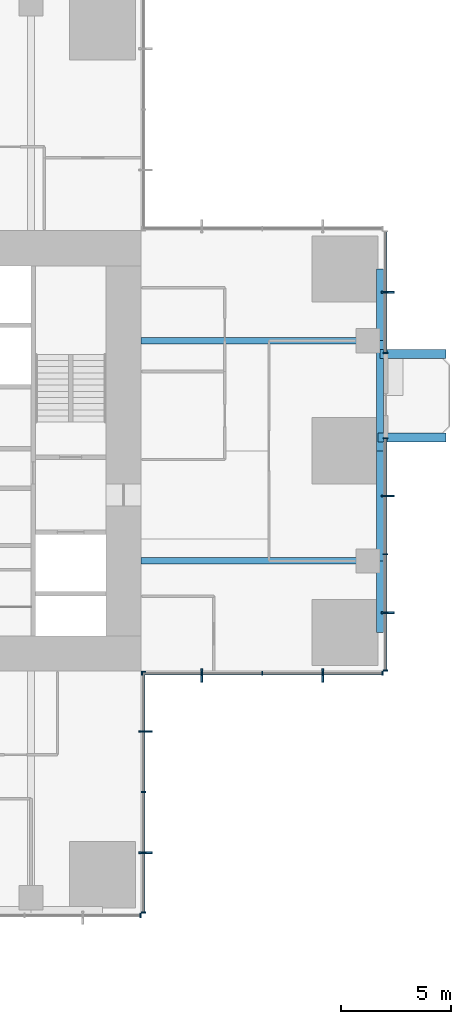
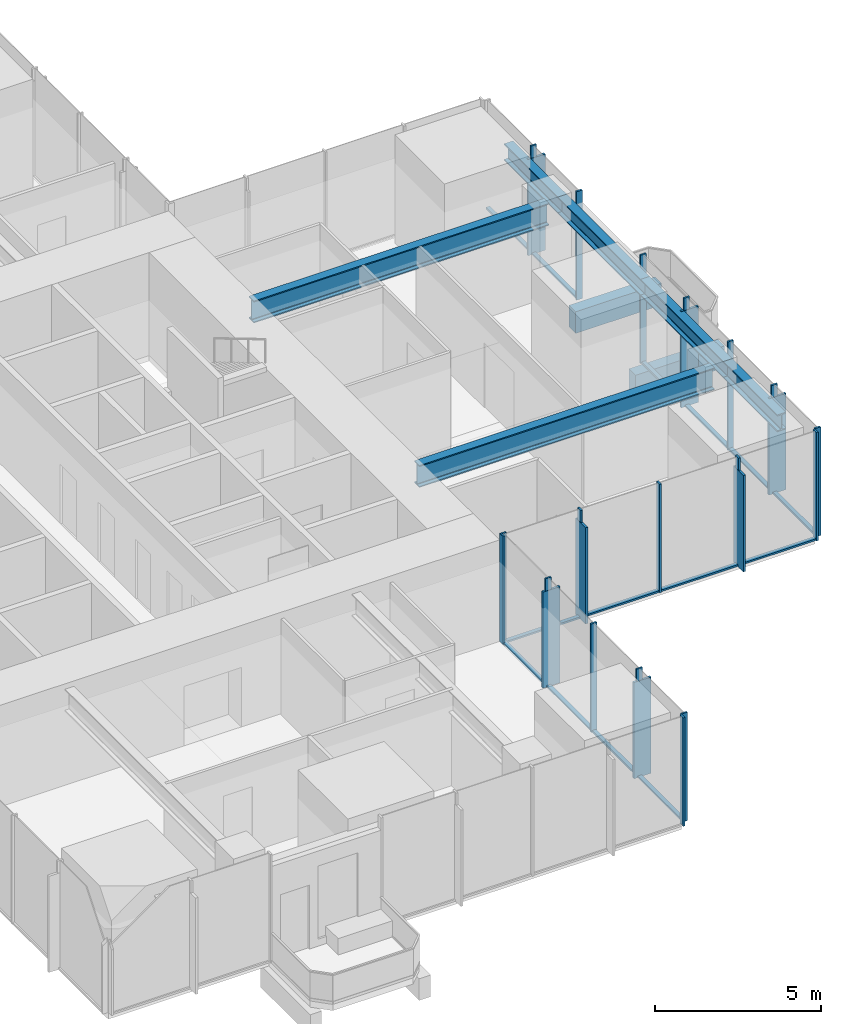
# One storey, part 4 of 13: 39 members, 8 beams, 5 elements without a shape of their own.
"""IFC4 building model written with IfcOpenShell, lengths in metres."""

from ifc_helpers import new_model, si_unit, direction, frame, origin, origin_2d, place, context, subcontext, project, spatial, rectangle, i_section, extrude, material, material_profile, profile_set, type_object, element, aggregate, save


model = new_model("IFC4")

# Units and contexts
model_context = context("Model", 3, precision=1e-05, world=origin(), true_north=direction((0.0, 1.0)))
body_context = subcontext(model_context, "Body", "Model", "MODEL_VIEW")
ifc_project = project(units=[si_unit("LENGTHUNIT", "METRE"), si_unit("AREAUNIT", "SQUARE_METRE"), si_unit("VOLUMEUNIT", "CUBIC_METRE"), si_unit("PLANEANGLEUNIT", "RADIAN"), si_unit("MASSUNIT", "GRAM", prefix="KILO")], contexts=[model_context])

# Site, building, storey
site_placement = place(None, origin())
site = spatial("IfcSite", under=ifc_project, at=site_placement, CompositionType="ELEMENT")
building_placement = place(site_placement, origin())
building = spatial("IfcBuilding", under=site, at=building_placement, Name="Svetlomir Tower", CompositionType="ELEMENT")
storey_placement = place(building_placement, frame((0.0, 0.0, 156.5)))
storey = spatial("IfcBuildingStorey", under=building, at=storey_placement, Name="L37", CompositionType="ELEMENT", Elevation=156.5)

# Beams
ifc_material_1 = material(Name="Concrete C60/75", Category="concrete")
ifc_material_profile_1 = material_profile(ifc_material_1, rectangle(XDim=0.39990234375, YDim=0.800048828125, at=origin_2d()), Name="RC 400x800")
ifc_profile_set_1 = profile_set([ifc_material_profile_1], Name="Concrete C60/75")
beam_type_1 = type_object("IfcBeamType", Name="BALCONY RIB RC 400x800", PredefinedType="BEAM", material=ifc_profile_set_1)
beam_1_placement = place(storey_placement, frame((41.75, 21.60009765625, -0.64990234375), z_axis=(1.0, 0.0, 0.0), x_axis=(0.0, 1.0, 0.0)))
element("IfcBeam", 1, at=beam_1_placement, inside=storey, type_object=beam_type_1, Name="Balcony rib E 1 L37", PredefinedType="BEAM", context=body_context, shape_type="SweptSolid", body=[
    extrude(rectangle(XDim=0.39990234375, YDim=0.800048828125, at=origin_2d()), origin(), (0.0, 0.0, 1.0), 3.10009765625),
])
beam_2_placement = place(storey_placement, frame((41.85009765625, 25.39990234375, -0.64990234375), z_axis=(1.0, 0.0, 0.0), x_axis=(0.0, 1.0, 0.0)))
element("IfcBeam", 2, at=beam_2_placement, inside=storey, type_object=beam_type_1, Name="Balcony rib E 2 L37", PredefinedType="BEAM", context=body_context, shape_type="SweptSolid", body=[
    extrude(rectangle(XDim=0.39990234375, YDim=0.800048828125, at=origin_2d()), origin(), (0.0, 0.0, 1.0), 3.0),
])

# Curtain wall, members
ifc_material_2 = material(Name="Bronze anodised aluminium curtain wall", Category="aluminium")
curtain_wall_type = type_object("IfcCurtainWallType", Name="CURTAIN WALL CW1 TOWER OFFICE", PredefinedType="NOTDEFINED", material=ifc_material_2)
curtain_wall_1_placement = place(storey_placement, origin())
curtain_wall_1 = element("IfcCurtainWall", 3, at=curtain_wall_1_placement, inside=storey, type_object=curtain_wall_type, Name="Curtain wall CW1 L37", PredefinedType="NOTDEFINED")
ifc_material_3 = material(Name="Bronze anodised aluminium", Category="aluminium")
ifc_material_profile_2 = material_profile(ifc_material_3, rectangle(XDim=0.080078125, YDim=0.60009765625, at=origin_2d()), Name="FIN 80x600")
ifc_profile_set_2 = profile_set([ifc_material_profile_2], Name="Bronze anodised aluminium 6063-T6")
member_type_1 = type_object("IfcMemberType", Name="BRONZE FIN 80x600", PredefinedType="USERDEFINED", material=ifc_profile_set_2)
member_1_placement = place(storey_placement, frame((31.199951171875, 2.75, 0.0), z_axis=(0.0, 0.0, 1.0), x_axis=(0.0, 1.0, 0.0)))
member_1 = element("IfcMember", 4, at=member_1_placement, type_object=member_type_1, Name="Bronze fin L37", ObjectType="FIN", PredefinedType="USERDEFINED", context=body_context, shape_type="SweptSolid", body=[
    extrude(rectangle(XDim=0.080078125, YDim=0.60009765625, at=origin_2d()), origin(), (0.0, 0.0, 1.0), 3.550048828125),
])
member_2_placement = place(storey_placement, frame((31.199951171875, 8.25, 0.0), z_axis=(0.0, 0.0, 1.0), x_axis=(0.0, 1.0, 0.0)))
member_2 = element("IfcMember", 5, at=member_2_placement, type_object=member_type_1, Name="Bronze fin L37", ObjectType="FIN", PredefinedType="USERDEFINED", context=body_context, shape_type="SweptSolid", body=[
    extrude(rectangle(XDim=0.080078125, YDim=0.60009765625, at=origin_2d()), origin(), (0.0, 0.0, 1.0), 3.550048828125),
])

curtain_wall_2_placement = place(storey_placement, origin())
curtain_wall_2 = element("IfcCurtainWall", 6, at=curtain_wall_2_placement, inside=storey, type_object=curtain_wall_type, Name="Curtain wall CW1 L37", PredefinedType="NOTDEFINED")
member_3_placement = place(storey_placement, frame((33.75, 10.800048828125, 0.0), z_axis=(0.0, 0.0, 1.0), x_axis=(1.0, 0.0, 0.0)))
member_3 = element("IfcMember", 7, at=member_3_placement, type_object=member_type_1, Name="Bronze fin L37", ObjectType="FIN", PredefinedType="USERDEFINED", context=body_context, shape_type="SweptSolid", body=[
    extrude(rectangle(XDim=0.080078125, YDim=0.60009765625, at=origin_2d()), origin(), (0.0, 0.0, 1.0), 3.550048828125),
])
member_4_placement = place(storey_placement, frame((39.25, 10.800048828125, 0.0), z_axis=(0.0, 0.0, 1.0), x_axis=(1.0, 0.0, 0.0)))
member_4 = element("IfcMember", 8, at=member_4_placement, type_object=member_type_1, Name="Bronze fin L37", ObjectType="FIN", PredefinedType="USERDEFINED", context=body_context, shape_type="SweptSolid", body=[
    extrude(rectangle(XDim=0.080078125, YDim=0.60009765625, at=origin_2d()), origin(), (0.0, 0.0, 1.0), 3.550048828125),
])

curtain_wall_3_placement = place(storey_placement, origin())
curtain_wall_3 = element("IfcCurtainWall", 9, at=curtain_wall_3_placement, inside=storey, type_object=curtain_wall_type, Name="Curtain wall CW1 L37", PredefinedType="NOTDEFINED")
member_5_placement = place(storey_placement, frame((42.199951171875, 13.64990234375, 0.0), z_axis=(0.0, 0.0, 1.0), x_axis=(0.0, 1.0, 0.0)))
member_5 = element("IfcMember", 10, at=member_5_placement, type_object=member_type_1, Name="Bronze fin L37", ObjectType="FIN", PredefinedType="USERDEFINED", context=body_context, shape_type="SweptSolid", body=[
    extrude(rectangle(XDim=0.080078125, YDim=0.60009765625, at=origin_2d()), origin(), (0.0, 0.0, 1.0), 3.550048828125),
])
member_6_placement = place(storey_placement, frame((42.199951171875, 18.949951171875, 0.0), z_axis=(0.0, 0.0, 1.0), x_axis=(0.0, 1.0, 0.0)))
member_6 = element("IfcMember", 11, at=member_6_placement, type_object=member_type_1, Name="Bronze fin L37", ObjectType="FIN", PredefinedType="USERDEFINED", context=body_context, shape_type="SweptSolid", body=[
    extrude(rectangle(XDim=0.080078125, YDim=0.60009765625, at=origin_2d()), origin(), (0.0, 0.0, 1.0), 3.550048828125),
])

# Curtain wall, member
curtain_wall_4_placement = place(storey_placement, origin())
curtain_wall_4 = element("IfcCurtainWall", 12, at=curtain_wall_4_placement, inside=storey, type_object=curtain_wall_type, Name="Curtain wall CW1 L37", PredefinedType="NOTDEFINED")
member_7_placement = place(storey_placement, frame((42.199951171875, 28.199951171875, 0.0), z_axis=(0.0, 0.0, 1.0), x_axis=(0.0, 1.0, 0.0)))
member_7 = element("IfcMember", 13, at=member_7_placement, type_object=member_type_1, Name="Bronze fin L37", ObjectType="FIN", PredefinedType="USERDEFINED", context=body_context, shape_type="SweptSolid", body=[
    extrude(rectangle(XDim=0.080078125, YDim=0.60009765625, at=origin_2d()), origin(), (0.0, 0.0, 1.0), 3.550048828125),
])

curtain_wall_5_placement = place(storey_placement, origin())
curtain_wall_5 = element("IfcCurtainWall", 14, at=curtain_wall_5_placement, inside=storey, type_object=curtain_wall_type, Name="Curtain wall CW1 L37", PredefinedType="NOTDEFINED")
ifc_material_4 = material(Name="Bronze anodised aluminium", Category="aluminium")
ifc_material_profile_3 = material_profile(ifc_material_4, rectangle(XDim=0.06494140625, YDim=0.199951171875, at=origin_2d()), Name="AL 65x200")
ifc_profile_set_3 = profile_set([ifc_material_profile_3], Name="Bronze anodised aluminium 6063-T6")
member_type_2 = type_object("IfcMemberType", Name="CW1 MULLION 65x200", PredefinedType="MULLION", material=ifc_profile_set_3)
member_8_placement = place(storey_placement, frame((30.967529296875, -0.10009765625, 0.0), z_axis=(0.0, 0.0, 1.0), x_axis=(1.0, 0.0, 0.0)))
member_8 = element("IfcMember", 15, at=member_8_placement, type_object=member_type_2, Name="CW1 mullion 5", PredefinedType="MULLION", context=body_context, shape_type="SweptSolid", body=[
    extrude(rectangle(XDim=0.06494140625, YDim=0.199951171875, at=origin_2d()), origin(), (0.0, 0.0, 1.0), 4.0),
])
aggregate(curtain_wall_5, [member_8])

# Member
member_9_placement = place(storey_placement, frame((31.10009765625, 0.032470703125, 0.0), z_axis=(0.0, 0.0, 1.0), x_axis=(0.0, 1.0, 0.0)))
member_9 = element("IfcMember", 16, at=member_9_placement, type_object=member_type_2, Name="CW1 mullion 1", PredefinedType="MULLION", context=body_context, shape_type="SweptSolid", body=[
    extrude(rectangle(XDim=0.06494140625, YDim=0.199951171875, at=origin_2d()), origin(), (0.0, 0.0, 1.0), 4.0),
])

member_10_placement = place(storey_placement, frame((31.10009765625, 2.75, 0.0), z_axis=(0.0, 0.0, 1.0), x_axis=(0.0, 1.0, 0.0)))
member_10 = element("IfcMember", 17, at=member_10_placement, type_object=member_type_2, Name="CW1 mullion 2", PredefinedType="MULLION", context=body_context, shape_type="SweptSolid", body=[
    extrude(rectangle(XDim=0.06494140625, YDim=0.199951171875, at=origin_2d()), origin(), (0.0, 0.0, 1.0), 4.0),
])

member_11_placement = place(storey_placement, frame((31.10009765625, 5.5, 0.0), z_axis=(0.0, 0.0, 1.0), x_axis=(0.0, 1.0, 0.0)))
member_11 = element("IfcMember", 18, at=member_11_placement, type_object=member_type_2, Name="CW1 mullion 3", PredefinedType="MULLION", context=body_context, shape_type="SweptSolid", body=[
    extrude(rectangle(XDim=0.06494140625, YDim=0.199951171875, at=origin_2d()), origin(), (0.0, 0.0, 1.0), 4.0),
])

member_12_placement = place(storey_placement, frame((31.10009765625, 8.25, 0.0), z_axis=(0.0, 0.0, 1.0), x_axis=(0.0, 1.0, 0.0)))
member_12 = element("IfcMember", 19, at=member_12_placement, type_object=member_type_2, Name="CW1 mullion 4", PredefinedType="MULLION", context=body_context, shape_type="SweptSolid", body=[
    extrude(rectangle(XDim=0.06494140625, YDim=0.199951171875, at=origin_2d()), origin(), (0.0, 0.0, 1.0), 4.0),
])

member_13_placement = place(storey_placement, frame((31.10009765625, 10.967529296875, 0.0), z_axis=(0.0, 0.0, 1.0), x_axis=(0.0, 1.0, 0.0)))
member_13 = element("IfcMember", 20, at=member_13_placement, type_object=member_type_2, Name="CW1 mullion 5", PredefinedType="MULLION", context=body_context, shape_type="SweptSolid", body=[
    extrude(rectangle(XDim=0.06494140625, YDim=0.199951171875, at=origin_2d()), origin(), (0.0, 0.0, 1.0), 4.0),
])

member_14_placement = place(storey_placement, frame((31.032470703125, 10.89990234375, 0.0), z_axis=(0.0, 0.0, 1.0), x_axis=(1.0, 0.0, 0.0)))
member_14 = element("IfcMember", 21, at=member_14_placement, type_object=member_type_2, Name="CW1 mullion 1", PredefinedType="MULLION", context=body_context, shape_type="SweptSolid", body=[
    extrude(rectangle(XDim=0.06494140625, YDim=0.199951171875, at=origin_2d()), origin(), (0.0, 0.0, 1.0), 4.0),
])

member_15_placement = place(storey_placement, frame((33.75, 10.89990234375, 0.0), z_axis=(0.0, 0.0, 1.0), x_axis=(1.0, 0.0, 0.0)))
member_15 = element("IfcMember", 22, at=member_15_placement, type_object=member_type_2, Name="CW1 mullion 2", PredefinedType="MULLION", context=body_context, shape_type="SweptSolid", body=[
    extrude(rectangle(XDim=0.06494140625, YDim=0.199951171875, at=origin_2d()), origin(), (0.0, 0.0, 1.0), 4.0),
])

member_16_placement = place(storey_placement, frame((36.5, 10.89990234375, 0.0), z_axis=(0.0, 0.0, 1.0), x_axis=(1.0, 0.0, 0.0)))
member_16 = element("IfcMember", 23, at=member_16_placement, type_object=member_type_2, Name="CW1 mullion 3", PredefinedType="MULLION", context=body_context, shape_type="SweptSolid", body=[
    extrude(rectangle(XDim=0.06494140625, YDim=0.199951171875, at=origin_2d()), origin(), (0.0, 0.0, 1.0), 4.0),
])

member_17_placement = place(storey_placement, frame((39.25, 10.89990234375, 0.0), z_axis=(0.0, 0.0, 1.0), x_axis=(1.0, 0.0, 0.0)))
member_17 = element("IfcMember", 24, at=member_17_placement, type_object=member_type_2, Name="CW1 mullion 4", PredefinedType="MULLION", context=body_context, shape_type="SweptSolid", body=[
    extrude(rectangle(XDim=0.06494140625, YDim=0.199951171875, at=origin_2d()), origin(), (0.0, 0.0, 1.0), 4.0),
])

member_18_placement = place(storey_placement, frame((41.967529296875, 10.89990234375, 0.0), z_axis=(0.0, 0.0, 1.0), x_axis=(1.0, 0.0, 0.0)))
member_18 = element("IfcMember", 25, at=member_18_placement, type_object=member_type_2, Name="CW1 mullion 5", PredefinedType="MULLION", context=body_context, shape_type="SweptSolid", body=[
    extrude(rectangle(XDim=0.06494140625, YDim=0.199951171875, at=origin_2d()), origin(), (0.0, 0.0, 1.0), 4.0),
])

member_19_placement = place(storey_placement, frame((42.10009765625, 11.032470703125, 0.0), z_axis=(0.0, 0.0, 1.0), x_axis=(0.0, 1.0, 0.0)))
member_19 = element("IfcMember", 26, at=member_19_placement, type_object=member_type_2, Name="CW1 mullion 1", PredefinedType="MULLION", context=body_context, shape_type="SweptSolid", body=[
    extrude(rectangle(XDim=0.06494140625, YDim=0.199951171875, at=origin_2d()), origin(), (0.0, 0.0, 1.0), 4.0),
])

member_20_placement = place(storey_placement, frame((42.10009765625, 13.64990234375, 0.0), z_axis=(0.0, 0.0, 1.0), x_axis=(0.0, 1.0, 0.0)))
member_20 = element("IfcMember", 27, at=member_20_placement, type_object=member_type_2, Name="CW1 mullion 2", PredefinedType="MULLION", context=body_context, shape_type="SweptSolid", body=[
    extrude(rectangle(XDim=0.06494140625, YDim=0.199951171875, at=origin_2d()), origin(), (0.0, 0.0, 1.0), 4.0),
])

member_21_placement = place(storey_placement, frame((42.10009765625, 16.300048828125, 0.0), z_axis=(0.0, 0.0, 1.0), x_axis=(0.0, 1.0, 0.0)))
member_21 = element("IfcMember", 28, at=member_21_placement, type_object=member_type_2, Name="CW1 mullion 3", PredefinedType="MULLION", context=body_context, shape_type="SweptSolid", body=[
    extrude(rectangle(XDim=0.06494140625, YDim=0.199951171875, at=origin_2d()), origin(), (0.0, 0.0, 1.0), 4.0),
])

member_22_placement = place(storey_placement, frame((42.10009765625, 18.949951171875, 0.0), z_axis=(0.0, 0.0, 1.0), x_axis=(0.0, 1.0, 0.0)))
member_22 = element("IfcMember", 29, at=member_22_placement, type_object=member_type_2, Name="CW1 mullion 4", PredefinedType="MULLION", context=body_context, shape_type="SweptSolid", body=[
    extrude(rectangle(XDim=0.06494140625, YDim=0.199951171875, at=origin_2d()), origin(), (0.0, 0.0, 1.0), 4.0),
])

member_23_placement = place(storey_placement, frame((42.10009765625, 21.5673828125, 0.0), z_axis=(0.0, 0.0, 1.0), x_axis=(0.0, 1.0, 0.0)))
member_23 = element("IfcMember", 30, at=member_23_placement, type_object=member_type_2, Name="CW1 mullion 5", PredefinedType="MULLION", context=body_context, shape_type="SweptSolid", body=[
    extrude(rectangle(XDim=0.06494140625, YDim=0.199951171875, at=origin_2d()), origin(), (0.0, 0.0, 1.0), 4.0),
])

member_24_placement = place(storey_placement, frame((42.10009765625, 25.4326171875, 0.0), z_axis=(0.0, 0.0, 1.0), x_axis=(0.0, 1.0, 0.0)))
member_24 = element("IfcMember", 31, at=member_24_placement, type_object=member_type_2, Name="CW1 mullion 1", PredefinedType="MULLION", context=body_context, shape_type="SweptSolid", body=[
    extrude(rectangle(XDim=0.06494140625, YDim=0.199951171875, at=origin_2d()), origin(), (0.0, 0.0, 1.0), 4.0),
])

member_25_placement = place(storey_placement, frame((42.10009765625, 28.199951171875, 0.0), z_axis=(0.0, 0.0, 1.0), x_axis=(0.0, 1.0, 0.0)))
member_25 = element("IfcMember", 32, at=member_25_placement, type_object=member_type_2, Name="CW1 mullion 2", PredefinedType="MULLION", context=body_context, shape_type="SweptSolid", body=[
    extrude(rectangle(XDim=0.06494140625, YDim=0.199951171875, at=origin_2d()), origin(), (0.0, 0.0, 1.0), 4.0),
])

ifc_material_5 = material(Name="Bronze anodised aluminium", Category="aluminium")
ifc_material_profile_4 = material_profile(ifc_material_5, rectangle(XDim=0.139892578125, YDim=0.06494140625, at=origin_2d()), Name="AL 140x65")
ifc_profile_set_4 = profile_set([ifc_material_profile_4], Name="Bronze anodised aluminium 6063-T6")
member_type_3 = type_object("IfcMemberType", Name="CW1 TRANSOM 65x140", PredefinedType="USERDEFINED", material=ifc_profile_set_4)
member_26_placement = place(storey_placement, frame((31.10009765625, 0.06494140625, 0.032470703125), z_axis=(0.0, 1.0, 0.0), x_axis=(-1.0, 0.0, 0.0)))
member_26 = element("IfcMember", 33, at=member_26_placement, type_object=member_type_3, Name="CW1 transom 1.1", ObjectType="TRANSOM", PredefinedType="USERDEFINED", context=body_context, shape_type="SweptSolid", body=[
    extrude(rectangle(XDim=0.139892578125, YDim=0.06494140625, at=origin_2d()), origin(), (0.0, 0.0, 1.0), 2.652587890625),
])

member_27_placement = place(storey_placement, frame((31.10009765625, 2.782470703125, 0.032470703125), z_axis=(0.0, 1.0, 0.0), x_axis=(-1.0, 0.0, 0.0)))
member_27 = element("IfcMember", 34, at=member_27_placement, type_object=member_type_3, Name="CW1 transom 2.1", ObjectType="TRANSOM", PredefinedType="USERDEFINED", context=body_context, shape_type="SweptSolid", body=[
    extrude(rectangle(XDim=0.139892578125, YDim=0.06494140625, at=origin_2d()), origin(), (0.0, 0.0, 1.0), 2.68505859375),
])

member_28_placement = place(storey_placement, frame((31.10009765625, 5.532470703125, 0.032470703125), z_axis=(0.0, 1.0, 0.0), x_axis=(-1.0, 0.0, 0.0)))
member_28 = element("IfcMember", 35, at=member_28_placement, type_object=member_type_3, Name="CW1 transom 3.1", ObjectType="TRANSOM", PredefinedType="USERDEFINED", context=body_context, shape_type="SweptSolid", body=[
    extrude(rectangle(XDim=0.139892578125, YDim=0.06494140625, at=origin_2d()), origin(), (0.0, 0.0, 1.0), 2.68505859375),
])

member_29_placement = place(storey_placement, frame((31.10009765625, 8.282470703125, 0.032470703125), z_axis=(0.0, 1.0, 0.0), x_axis=(-1.0, 0.0, 0.0)))
member_29 = element("IfcMember", 36, at=member_29_placement, type_object=member_type_3, Name="CW1 transom 4.1", ObjectType="TRANSOM", PredefinedType="USERDEFINED", context=body_context, shape_type="SweptSolid", body=[
    extrude(rectangle(XDim=0.139892578125, YDim=0.06494140625, at=origin_2d()), origin(), (0.0, 0.0, 1.0), 2.652587890625),
])

aggregate(curtain_wall_1, [member_9, member_10, member_11, member_12, member_13, member_26, member_27, member_28, member_29, member_1, member_2])

member_30_placement = place(storey_placement, frame((31.06494140625, 10.89990234375, 0.032470703125), z_axis=(1.0, 0.0, 0.0), x_axis=(0.0, 1.0, 0.0)))
member_30 = element("IfcMember", 37, at=member_30_placement, type_object=member_type_3, Name="CW1 transom 1.1", ObjectType="TRANSOM", PredefinedType="USERDEFINED", context=body_context, shape_type="SweptSolid", body=[
    extrude(rectangle(XDim=0.139892578125, YDim=0.06494140625, at=origin_2d()), origin(), (0.0, 0.0, 1.0), 2.652587890625),
])

member_31_placement = place(storey_placement, frame((33.782470703125, 10.89990234375, 0.032470703125), z_axis=(1.0, 0.0, 0.0), x_axis=(0.0, 1.0, 0.0)))
member_31 = element("IfcMember", 38, at=member_31_placement, type_object=member_type_3, Name="CW1 transom 2.1", ObjectType="TRANSOM", PredefinedType="USERDEFINED", context=body_context, shape_type="SweptSolid", body=[
    extrude(rectangle(XDim=0.139892578125, YDim=0.06494140625, at=origin_2d()), origin(), (0.0, 0.0, 1.0), 2.68505859375),
])

member_32_placement = place(storey_placement, frame((36.532470703125, 10.89990234375, 0.032470703125), z_axis=(1.0, 0.0, 0.0), x_axis=(0.0, 1.0, 0.0)))
member_32 = element("IfcMember", 39, at=member_32_placement, type_object=member_type_3, Name="CW1 transom 3.1", ObjectType="TRANSOM", PredefinedType="USERDEFINED", context=body_context, shape_type="SweptSolid", body=[
    extrude(rectangle(XDim=0.139892578125, YDim=0.06494140625, at=origin_2d()), origin(), (0.0, 0.0, 1.0), 2.68505859375),
])

member_33_placement = place(storey_placement, frame((39.282470703125, 10.89990234375, 0.032470703125), z_axis=(1.0, 0.0, 0.0), x_axis=(0.0, 1.0, 0.0)))
member_33 = element("IfcMember", 40, at=member_33_placement, type_object=member_type_3, Name="CW1 transom 4.1", ObjectType="TRANSOM", PredefinedType="USERDEFINED", context=body_context, shape_type="SweptSolid", body=[
    extrude(rectangle(XDim=0.139892578125, YDim=0.06494140625, at=origin_2d()), origin(), (0.0, 0.0, 1.0), 2.652587890625),
])

aggregate(curtain_wall_2, [member_14, member_15, member_16, member_17, member_18, member_30, member_31, member_32, member_33, member_3, member_4])

member_34_placement = place(storey_placement, frame((42.10009765625, 11.06494140625, 0.032470703125), z_axis=(0.0, 1.0, 0.0), x_axis=(-1.0, 0.0, 0.0)))
member_34 = element("IfcMember", 41, at=member_34_placement, type_object=member_type_3, Name="CW1 transom 1.1", ObjectType="TRANSOM", PredefinedType="USERDEFINED", context=body_context, shape_type="SweptSolid", body=[
    extrude(rectangle(XDim=0.139892578125, YDim=0.06494140625, at=origin_2d()), origin(), (0.0, 0.0, 1.0), 2.552490234375),
])

member_35_placement = place(storey_placement, frame((42.10009765625, 13.6826171875, 0.032470703125), z_axis=(0.0, 1.0, 0.0), x_axis=(-1.0, 0.0, 0.0)))
member_35 = element("IfcMember", 42, at=member_35_placement, type_object=member_type_3, Name="CW1 transom 2.1", ObjectType="TRANSOM", PredefinedType="USERDEFINED", context=body_context, shape_type="SweptSolid", body=[
    extrude(rectangle(XDim=0.139892578125, YDim=0.06494140625, at=origin_2d()), origin(), (0.0, 0.0, 1.0), 2.5849609375),
])

member_36_placement = place(storey_placement, frame((42.10009765625, 16.33251953125, 0.032470703125), z_axis=(0.0, 1.0, 0.0), x_axis=(-1.0, 0.0, 0.0)))
member_36 = element("IfcMember", 43, at=member_36_placement, type_object=member_type_3, Name="CW1 transom 3.1", ObjectType="TRANSOM", PredefinedType="USERDEFINED", context=body_context, shape_type="SweptSolid", body=[
    extrude(rectangle(XDim=0.139892578125, YDim=0.06494140625, at=origin_2d()), origin(), (0.0, 0.0, 1.0), 2.5849609375),
])

member_37_placement = place(storey_placement, frame((42.10009765625, 18.982421875, 0.032470703125), z_axis=(0.0, 1.0, 0.0), x_axis=(-1.0, 0.0, 0.0)))
member_37 = element("IfcMember", 44, at=member_37_placement, type_object=member_type_3, Name="CW1 transom 4.1", ObjectType="TRANSOM", PredefinedType="USERDEFINED", context=body_context, shape_type="SweptSolid", body=[
    extrude(rectangle(XDim=0.139892578125, YDim=0.06494140625, at=origin_2d()), origin(), (0.0, 0.0, 1.0), 2.552490234375),
])

aggregate(curtain_wall_3, [member_19, member_20, member_21, member_22, member_23, member_34, member_35, member_36, member_37, member_5, member_6])

member_38_placement = place(storey_placement, frame((42.10009765625, 25.465087890625, 0.032470703125), z_axis=(0.0, 1.0, 0.0), x_axis=(-1.0, 0.0, 0.0)))
member_38 = element("IfcMember", 45, at=member_38_placement, type_object=member_type_3, Name="CW1 transom 1.1", ObjectType="TRANSOM", PredefinedType="USERDEFINED", context=body_context, shape_type="SweptSolid", body=[
    extrude(rectangle(XDim=0.139892578125, YDim=0.06494140625, at=origin_2d()), origin(), (0.0, 0.0, 1.0), 2.702392578125),
])

member_39_placement = place(storey_placement, frame((42.10009765625, 28.232421875, 0.032470703125), z_axis=(0.0, 1.0, 0.0), x_axis=(-1.0, 0.0, 0.0)))
member_39 = element("IfcMember", 46, at=member_39_placement, type_object=member_type_3, Name="CW1 transom 2.1", ObjectType="TRANSOM", PredefinedType="USERDEFINED", context=body_context, shape_type="SweptSolid", body=[
    extrude(rectangle(XDim=0.139892578125, YDim=0.06494140625, at=origin_2d()), origin(), (0.0, 0.0, 1.0), 2.70263671875),
])

aggregate(curtain_wall_4, [member_24, member_25, member_38, member_39, member_7])

# Beams
ifc_material_6 = material(Name="Steel S355", Category="steel")
ifc_material_profile_5 = material_profile(ifc_material_6, i_section(OverallWidth=0.304931640625, OverallDepth=0.6201171875, WebThickness=0.02099609375, FlangeThickness=0.0400390625, FilletRadius=0.027099609375, at=origin_2d()), Name="HEM 600")
ifc_profile_set_5 = profile_set([ifc_material_profile_5], Name="Steel S355")
beam_type_2 = type_object("IfcBeamType", Name="EDGE BEAM HEM 600", PredefinedType="SPANDREL", material=ifc_profile_set_5)
beam_3_placement = place(storey_placement, frame((41.847412109375, 12.75, 3.239990234375), z_axis=(0.0, 1.0, 0.0), x_axis=(-1.0, 0.0, 0.0)))
element("IfcBeam", 47, at=beam_3_placement, inside=storey, type_object=beam_type_2, Name="Edge beam 42/11 to 42/16 under L38", PredefinedType="SPANDREL", context=body_context, shape_type="SweptSolid", body=[
    extrude(i_section(OverallWidth=0.304931640625, OverallDepth=0.6201171875, WebThickness=0.02099609375, FlangeThickness=0.0400390625, FilletRadius=0.027099609375, at=origin_2d()), origin(), (0.0, 0.0, 1.0), 3.25),
])
for number, where, z_axis, x_axis, name in (
    (48, (41.847412109375, 16.0, 3.239990234375), (0.0, 1.0, 0.0), (-1.0, 0.0, 0.0), "Edge beam 42/16 to 42/21 under L38"),
    (49, (41.847412109375, 21.0, 3.239990234375), (0.0, 1.0, 0.0), (-1.0, 0.0, 0.0), "Edge beam 42/21 to 42/26 under L38"),
):
    element("IfcBeam", number, at=place(storey_placement, frame(where, z_axis=z_axis, x_axis=x_axis)), inside=storey, type_object=beam_type_2, Name=name, PredefinedType="SPANDREL", context=body_context, shape_type="SweptSolid", body=[
        extrude(i_section(OverallWidth=0.304931640625, OverallDepth=0.6201171875, WebThickness=0.02099609375, FlangeThickness=0.0400390625, FilletRadius=0.027099609375, at=origin_2d()), origin(), (0.0, 0.0, 1.0), 5.0),
    ])
beam_4_placement = place(storey_placement, frame((41.847412109375, 26.0, 3.239990234375), z_axis=(0.0, 1.0, 0.0), x_axis=(-1.0, 0.0, 0.0)))
element("IfcBeam", 50, at=beam_4_placement, inside=storey, type_object=beam_type_2, Name="Edge beam 42/26 to 42/31 under L38", PredefinedType="SPANDREL", context=body_context, shape_type="SweptSolid", body=[
    extrude(i_section(OverallWidth=0.304931640625, OverallDepth=0.6201171875, WebThickness=0.02099609375, FlangeThickness=0.0400390625, FilletRadius=0.027099609375, at=origin_2d()), origin(), (0.0, 0.0, 1.0), 3.25),
])
ifc_material_7 = material(Name="Steel S355", Category="steel")
ifc_material_profile_6 = material_profile(ifc_material_7, i_section(OverallWidth=0.302978515625, OverallDepth=0.81396484375, WebThickness=0.02099609375, FlangeThickness=0.0400390625, FilletRadius=0.030029296875, at=origin_2d()), Name="HEM 800")
ifc_profile_set_6 = profile_set([ifc_material_profile_6], Name="Steel S355")
beam_type_3 = type_object("IfcBeamType", Name="PLANT FLOOR BEAM HEM 800", PredefinedType="BEAM", material=ifc_profile_set_6)
for number, where, z_axis, x_axis, name in (
    (51, (41.300048828125, 16.0, 3.14306640625), (-1.0, 0.0, 0.0), (0.0, -1.0, 0.0), "Plant floor beam E 16 under L38"),
    (52, (41.300048828125, 26.0, 3.14306640625), (-1.0, 0.0, 0.0), (0.0, -1.0, 0.0), "Plant floor beam E 26 under L38"),
):
    element("IfcBeam", number, at=place(storey_placement, frame(where, z_axis=z_axis, x_axis=x_axis)), inside=storey, type_object=beam_type_3, Name=name, PredefinedType="BEAM", context=body_context, shape_type="SweptSolid", body=[
        extrude(i_section(OverallWidth=0.302978515625, OverallDepth=0.81396484375, WebThickness=0.02099609375, FlangeThickness=0.0400390625, FilletRadius=0.030029296875, at=origin_2d()), origin(), (0.0, 0.0, 1.0), 10.300048828125),
    ])

save(model, "model.ifc")
